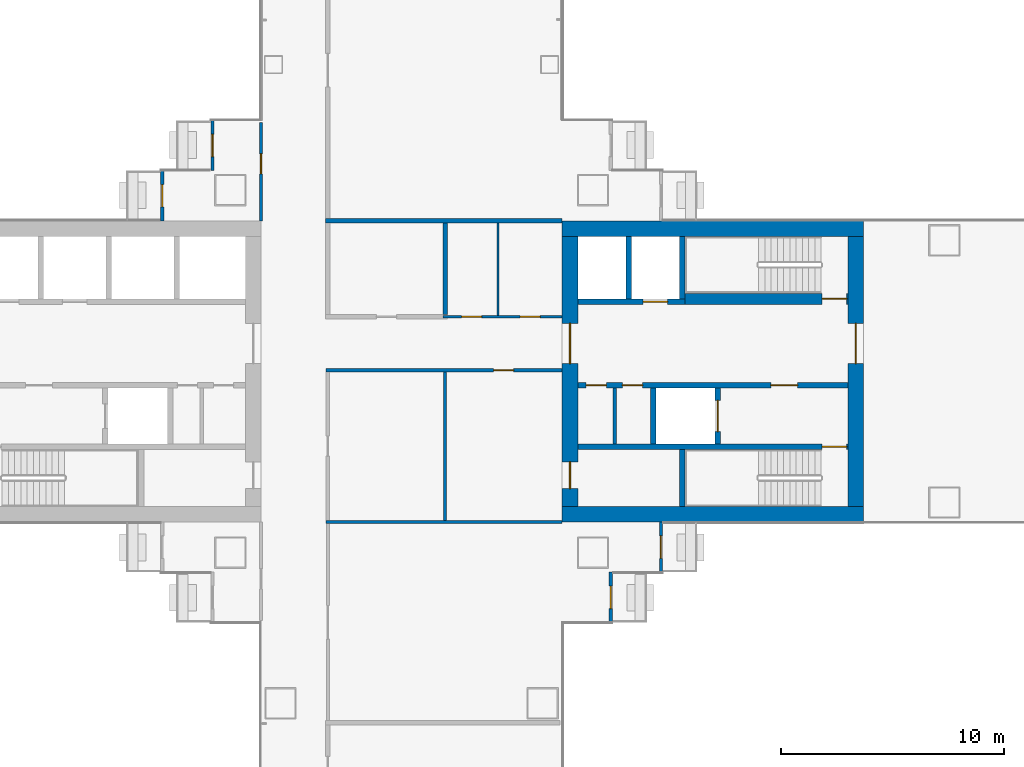
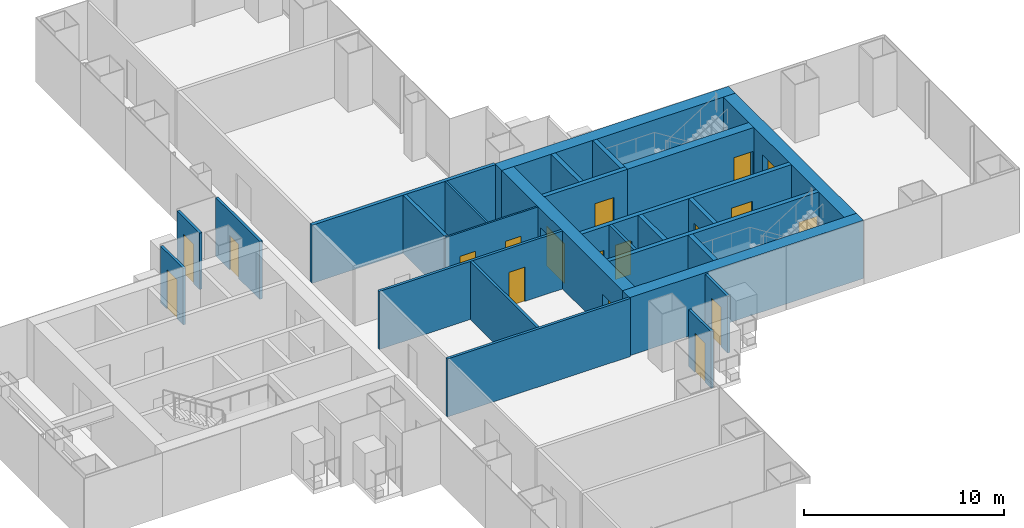
# One storey, part 17 of 22: 26 walls, 18 doors, 18 openings.
"""IFC4 building model written with IfcOpenShell, lengths in metres."""

from ifc_helpers import new_model, si_unit, direction, frame, frame_2d, origin, place, context, subcontext, project, spatial, rectangle, extrude, material, layer, layer_set, type_object, element, fill, save


model = new_model("IFC4")

# Units and contexts
model_context = context("Model", 3, precision=1e-05, world=origin(), true_north=direction((0.0, 1.0)))
body_context = subcontext(model_context, "Body", "Model", "MODEL_VIEW")
ifc_project = project(units=[si_unit("LENGTHUNIT", "METRE"), si_unit("AREAUNIT", "SQUARE_METRE"), si_unit("VOLUMEUNIT", "CUBIC_METRE"), si_unit("PLANEANGLEUNIT", "RADIAN"), si_unit("MASSUNIT", "GRAM", prefix="KILO")], contexts=[model_context])

# Site, building, storey
site_placement = place(None, origin())
site = spatial("IfcSite", under=ifc_project, at=site_placement, CompositionType="ELEMENT")
building_placement = place(site_placement, origin())
building = spatial("IfcBuilding", under=site, at=building_placement, Name="Shamsa Quay Exchange Towers", CompositionType="ELEMENT")
storey_placement = place(building_placement, frame((0.0, 0.0, 69.300048828125)))
storey = spatial("IfcBuildingStorey", under=building, at=storey_placement, Name="L15", CompositionType="ELEMENT", Elevation=69.300048828125)

# Wall, opening, door
ifc_material_1 = material(Name="Aluminium EN AW-6063 T6, black anodised, with black enamelled glass infill", Category="aluminium")
ifc_layer_1 = layer(ifc_material_1, 0.14990234375)
ifc_layer_set_1 = layer_set([ifc_layer_1], Name="BALCONY DOOR BAY WALL 150")
wall_type_1 = type_object("IfcWallType", Name="BALCONY DOOR BAY WALL 150", PredefinedType="SOLIDWALL", material=ifc_layer_set_1)
wall_1_placement = place(storey_placement, frame((24.824951171875, 9.0, 0.0), z_axis=(0.0, 0.0, 1.0), x_axis=(0.0, 1.0, 0.0)))
wall_1 = element("IfcWall", 1, at=wall_1_placement, inside=storey, type_object=wall_type_1, Name="Door bay T2-PKEN L15", PredefinedType="SOLIDWALL", context=body_context, shape_type="SweptSolid", body=[
    extrude(rectangle(XDim=2.25, YDim=0.14990234375, at=frame_2d((1.125, 0.0))), origin(), (0.0, 0.0, 1.0), 3.449951171875),
])
opening_1_placement = place(wall_1_placement, frame((0.625, 0.0, 0.0)))
opening_1 = element("IfcOpeningElement", 2, at=opening_1_placement, cuts=wall_1, Name="Opening XD089", PredefinedType="OPENING", context=body_context, shape_type="SweptSolid", body=[
    extrude(rectangle(XDim=1.0, YDim=2.39990234375, at=frame_2d((0.5, 1.199951171875))), frame((0.0, 0.0849609375, 0.0), z_axis=(0.0, -1.0, 0.0), x_axis=(1.0, 0.0, 0.0)), (0.0, 0.0, 1.0), 0.169921875),
])
ifc_material_2 = material(Name="Aluminium EN AW-6063 T6, black anodised, with laminated glass leaf", Category="aluminium")
door_type_1 = type_object("IfcDoorType", Name="BALCONY DOOR 1000x2400", OperationType="SINGLE_SWING_LEFT", PredefinedType="DOOR", material=ifc_material_2)
door_1_placement = place(opening_1_placement, origin())
door_1 = element("IfcDoor", 3, at=door_1_placement, inside=storey, type_object=door_type_1, Name="Balcony door T2-PKEN L15", OperationType="SINGLE_SWING_RIGHT", OverallHeight=2.39990234375, OverallWidth=1.0, PredefinedType="DOOR", context=body_context, shape_type="SweptSolid", body=[
    extrude(rectangle(XDim=1.0, YDim=2.39990234375, at=frame_2d((0.5, 1.199951171875))), frame((0.0, 0.02490234375, 0.0), z_axis=(0.0, -1.0, 0.0), x_axis=(1.0, 0.0, 0.0)), (0.0, 0.0, 1.0), 0.050048828125),
])
fill(opening_1, door_1)

wall_2_placement = place(storey_placement, frame((22.574951171875, 6.742919921875, 0.0), z_axis=(0.0, 0.0, 1.0), x_axis=(0.0, 1.0, 0.0)))
wall_2 = element("IfcWall", 4, at=wall_2_placement, inside=storey, type_object=wall_type_1, Name="Door bay T2-PKEN L15", PredefinedType="SOLIDWALL", context=body_context, shape_type="SweptSolid", body=[
    extrude(rectangle(XDim=2.257080078125, YDim=0.14990234375, at=frame_2d((1.12841796875, 0.0))), origin(), (0.0, 0.0, 1.0), 3.449951171875),
])
opening_2_placement = place(wall_2_placement, frame((0.632080078125, 0.0, 0.0)))
opening_2 = element("IfcOpeningElement", 5, at=opening_2_placement, cuts=wall_2, Name="Opening XD090", PredefinedType="OPENING", context=body_context, shape_type="SweptSolid", body=[
    extrude(rectangle(XDim=1.0, YDim=2.39990234375, at=frame_2d((0.5, 1.199951171875))), frame((0.0, 0.0849609375, 0.0), z_axis=(0.0, -1.0, 0.0), x_axis=(1.0, 0.0, 0.0)), (0.0, 0.0, 1.0), 0.169921875),
])
door_2_placement = place(opening_2_placement, origin())
door_2 = element("IfcDoor", 6, at=door_2_placement, inside=storey, type_object=door_type_1, Name="Balcony door T2-PKEN L15", OperationType="SINGLE_SWING_LEFT", OverallHeight=2.39990234375, OverallWidth=1.0, PredefinedType="DOOR", context=body_context, shape_type="SweptSolid", body=[
    extrude(rectangle(XDim=1.0, YDim=2.39990234375, at=frame_2d((0.5, 1.199951171875))), frame((0.0, 0.02490234375, 0.0), z_axis=(0.0, -1.0, 0.0), x_axis=(1.0, 0.0, 0.0)), (0.0, 0.0, 1.0), 0.050048828125),
])
fill(opening_2, door_2)

wall_3_placement = place(storey_placement, frame((42.675048828125, -9.0, 0.0), z_axis=(0.0, 0.0, 1.0), x_axis=(0.0, -1.0, 0.0)))
wall_3 = element("IfcWall", 7, at=wall_3_placement, inside=storey, type_object=wall_type_1, Name="Door bay T2-PKWS L15", PredefinedType="SOLIDWALL", context=body_context, shape_type="SweptSolid", body=[
    extrude(rectangle(XDim=2.25, YDim=0.14990234375, at=frame_2d((1.125, 0.0))), origin(), (0.0, 0.0, 1.0), 3.449951171875),
])
opening_3_placement = place(wall_3_placement, frame((0.625, 0.0, 0.0)))
opening_3 = element("IfcOpeningElement", 8, at=opening_3_placement, cuts=wall_3, Name="Opening XD095", PredefinedType="OPENING", context=body_context, shape_type="SweptSolid", body=[
    extrude(rectangle(XDim=1.0, YDim=2.39990234375, at=frame_2d((0.5, 1.199951171875))), frame((0.0, 0.0849609375, 0.0), z_axis=(0.0, -1.0, 0.0), x_axis=(1.0, 0.0, 0.0)), (0.0, 0.0, 1.0), 0.169921875),
])
door_3_placement = place(opening_3_placement, origin())
door_3 = element("IfcDoor", 9, at=door_3_placement, inside=storey, type_object=door_type_1, Name="Balcony door T2-PKWS L15", OperationType="SINGLE_SWING_LEFT", OverallHeight=2.39990234375, OverallWidth=1.0, PredefinedType="DOOR", context=body_context, shape_type="SweptSolid", body=[
    extrude(rectangle(XDim=1.0, YDim=2.39990234375, at=frame_2d((0.5, 1.199951171875))), frame((0.0, 0.02490234375, 0.0), z_axis=(0.0, -1.0, 0.0), x_axis=(1.0, 0.0, 0.0)), (0.0, 0.0, 1.0), 0.050048828125),
])
fill(opening_3, door_3)

wall_4_placement = place(storey_placement, frame((44.925048828125, -6.742919921875, 0.0), z_axis=(0.0, 0.0, 1.0), x_axis=(0.0, -1.0, 0.0)))
wall_4 = element("IfcWall", 10, at=wall_4_placement, inside=storey, type_object=wall_type_1, Name="Door bay T2-PKWS L15", PredefinedType="SOLIDWALL", context=body_context, shape_type="SweptSolid", body=[
    extrude(rectangle(XDim=2.257080078125, YDim=0.14990234375, at=frame_2d((1.12841796875, 0.0))), origin(), (0.0, 0.0, 1.0), 3.449951171875),
])
opening_4_placement = place(wall_4_placement, frame((0.632080078125, 0.0, 0.0)))
opening_4 = element("IfcOpeningElement", 11, at=opening_4_placement, cuts=wall_4, Name="Opening XD096", PredefinedType="OPENING", context=body_context, shape_type="SweptSolid", body=[
    extrude(rectangle(XDim=1.0, YDim=2.39990234375, at=frame_2d((0.5, 1.199951171875))), frame((0.0, 0.0849609375, 0.0), z_axis=(0.0, -1.0, 0.0), x_axis=(1.0, 0.0, 0.0)), (0.0, 0.0, 1.0), 0.169921875),
])
door_4_placement = place(opening_4_placement, origin())
door_4 = element("IfcDoor", 12, at=door_4_placement, inside=storey, type_object=door_type_1, Name="Balcony door T2-PKWS L15", OperationType="SINGLE_SWING_RIGHT", OverallHeight=2.39990234375, OverallWidth=1.0, PredefinedType="DOOR", context=body_context, shape_type="SweptSolid", body=[
    extrude(rectangle(XDim=1.0, YDim=2.39990234375, at=frame_2d((0.5, 1.199951171875))), frame((0.0, 0.02490234375, 0.0), z_axis=(0.0, -1.0, 0.0), x_axis=(1.0, 0.0, 0.0)), (0.0, 0.0, 1.0), 0.050048828125),
])
fill(opening_4, door_4)

# Walls
ifc_material_3 = material(Name="Concrete C80/95", Category="concrete")
ifc_layer_2 = layer(ifc_material_3, 0.699951171875)
ifc_layer_set_2 = layer_set([ifc_layer_2], Name="CORE WALL 700 C80/95")
wall_type_2 = type_object("IfcWallType", Name="CORE WALL 700 C80/95", PredefinedType="SHEAR", material=ifc_layer_set_2)
for number, where, z_axis, x_axis, name in (
    (13, (54.0, -6.39990234375, 0.0), (0.0, 0.0, 1.0), (-1.0, 0.0, 0.0), "Core wall T2B-R07-PS"),
    (14, (54.0, 6.39990234375, 0.0), (0.0, 0.0, 1.0), (-1.0, 0.0, 0.0), "Core wall T2B-R07-PN"),
):
    element("IfcWall", number, at=place(storey_placement, frame(where, z_axis=z_axis, x_axis=x_axis)), inside=storey, type_object=wall_type_2, Name=name, PredefinedType="SHEAR", context=body_context, shape_type="SweptSolid", body=[
        extrude(rectangle(XDim=13.5, YDim=0.699951171875, at=frame_2d((6.75, 0.0))), origin(), (0.0, 0.0, 1.0), 3.550048828125),
    ])

# Wall, opening, door
wall_5_placement = place(storey_placement, frame((53.64990234375, -6.050048828125, 0.0), z_axis=(0.0, 0.0, 1.0), x_axis=(0.0, 1.0, 0.0)))
wall_5 = element("IfcWall", 15, at=wall_5_placement, inside=storey, type_object=wall_type_2, Name="Core wall T2B-R07-PF", PredefinedType="SHEAR", context=body_context, shape_type="SweptSolid", body=[
    extrude(rectangle(XDim=12.10009765625, YDim=0.699951171875, at=frame_2d((6.050048828125, 0.0))), origin(), (0.0, 0.0, 1.0), 3.550048828125),
])
opening_5_placement = place(wall_5_placement, frame((6.39990234375, 0.0, 0.0)))
opening_5 = element("IfcOpeningElement", 16, at=opening_5_placement, cuts=wall_5, Name="Opening T2B-R07-LBD01", PredefinedType="OPENING", context=body_context, shape_type="SweptSolid", body=[
    extrude(rectangle(XDim=1.800048828125, YDim=2.39990234375, at=frame_2d((0.89990234375, 1.199951171875))), frame((0.0, 0.35986328125, 0.0), z_axis=(0.0, -1.0, 0.0), x_axis=(1.0, 0.0, 0.0)), (0.0, 0.0, 1.0), 0.719970703125),
])
ifc_material_4 = material(Name="Steel, fire rated", Category="steel")
door_type_2 = type_object("IfcDoorType", Name="LIFT LOBBY DOOR PAIR 1800", OperationType="DOUBLE_DOOR_SINGLE_SWING", PredefinedType="DOOR", material=ifc_material_4)
door_5_placement = place(opening_5_placement, origin())
door_5 = element("IfcDoor", 17, at=door_5_placement, inside=storey, type_object=door_type_2, Name="T2B-R07-LBD01", OperationType="DOUBLE_DOOR_SINGLE_SWING", OverallHeight=2.39990234375, OverallWidth=1.800048828125, PredefinedType="DOOR", context=body_context, shape_type="SweptSolid", body=[
    extrude(rectangle(XDim=1.800048828125, YDim=2.39990234375, at=frame_2d((0.89990234375, 1.199951171875))), frame((0.0, 0.02490234375, 0.0), z_axis=(0.0, -1.0, 0.0), x_axis=(1.0, 0.0, 0.0)), (0.0, 0.0, 1.0), 0.050048828125),
])
fill(opening_5, door_5)

# Wall, openings, doors
wall_6_placement = place(storey_placement, frame((40.85009765625, -6.050048828125, 0.0), z_axis=(0.0, 0.0, 1.0), x_axis=(0.0, 1.0, 0.0)))
wall_6 = element("IfcWall", 18, at=wall_6_placement, inside=storey, type_object=wall_type_2, Name="Core wall T2B-R07-PB", PredefinedType="SHEAR", context=body_context, shape_type="SweptSolid", body=[
    extrude(rectangle(XDim=12.10009765625, YDim=0.699951171875, at=frame_2d((6.050048828125, 0.0))), origin(), (0.0, 0.0, 1.0), 3.550048828125),
])
opening_6_placement = place(wall_6_placement, frame((0.800048828125, 0.0, 0.0)))
opening_6 = element("IfcOpeningElement", 19, at=opening_6_placement, cuts=wall_6, Name="Opening T2B-R07-RD02", PredefinedType="OPENING", context=body_context, shape_type="SweptSolid", body=[
    extrude(rectangle(XDim=1.199951171875, YDim=2.10009765625, at=frame_2d((0.60009765625, 1.050048828125))), frame((0.0, 0.35986328125, 0.0), z_axis=(0.0, -1.0, 0.0), x_axis=(1.0, 0.0, 0.0)), (0.0, 0.0, 1.0), 0.719970703125),
])
opening_7_placement = place(wall_6_placement, frame((6.39990234375, 0.0, 0.0)))
opening_7 = element("IfcOpeningElement", 20, at=opening_7_placement, cuts=wall_6, Name="Opening T2B-R07-LBD03", PredefinedType="OPENING", context=body_context, shape_type="SweptSolid", body=[
    extrude(rectangle(XDim=1.800048828125, YDim=2.39990234375, at=frame_2d((0.89990234375, 1.199951171875))), frame((0.0, 0.35986328125, 0.0), z_axis=(0.0, -1.0, 0.0), x_axis=(1.0, 0.0, 0.0)), (0.0, 0.0, 1.0), 0.719970703125),
])
door_6_placement = place(opening_7_placement, origin())
door_6 = element("IfcDoor", 21, at=door_6_placement, inside=storey, type_object=door_type_2, Name="T2B-R07-LBD03", OperationType="DOUBLE_DOOR_SINGLE_SWING", OverallHeight=2.39990234375, OverallWidth=1.800048828125, PredefinedType="DOOR", context=body_context, shape_type="SweptSolid", body=[
    extrude(rectangle(XDim=1.800048828125, YDim=2.39990234375, at=frame_2d((0.89990234375, 1.199951171875))), frame((0.0, 0.02490234375, 0.0), z_axis=(0.0, -1.0, 0.0), x_axis=(1.0, 0.0, 0.0)), (0.0, 0.0, 1.0), 0.050048828125),
])
fill(opening_7, door_6)
door_type_3 = type_object("IfcDoorType", Name="RISER ACCESS DOOR 1200", OperationType="SINGLE_SWING_LEFT", PredefinedType="DOOR", material=ifc_material_4)
door_7_placement = place(opening_6_placement, origin())
door_7 = element("IfcDoor", 22, at=door_7_placement, inside=storey, type_object=door_type_3, Name="T2B-R07-RD02", OperationType="SINGLE_SWING_LEFT", OverallHeight=2.10009765625, OverallWidth=1.199951171875, PredefinedType="DOOR", context=body_context, shape_type="SweptSolid", body=[
    extrude(rectangle(XDim=1.199951171875, YDim=2.10009765625, at=frame_2d((0.60009765625, 1.050048828125))), frame((0.0, 0.02490234375, 0.0), z_axis=(0.0, -1.0, 0.0), x_axis=(1.0, 0.0, 0.0)), (0.0, 0.0, 1.0), 0.050048828125),
])
fill(opening_6, door_7)

# Wall
ifc_material_5 = material(Name="Gypsum board on steel studs, EI 60", Category="steel")
ifc_layer_3 = layer(ifc_material_5, 0.14990234375)
ifc_layer_set_3 = layer_set([ifc_layer_3], Name="FIRE PARTITION 150")
wall_type_3 = type_object("IfcWallType", Name="FIRE PARTITION 150", PredefinedType="PARTITIONING", material=ifc_layer_set_3)
wall_7_placement = place(storey_placement, frame((42.85009765625, -3.25, 0.0), z_axis=(0.0, 0.0, 1.0), x_axis=(0.0, 1.0, 0.0)))
element("IfcWall", 23, at=wall_7_placement, inside=storey, type_object=wall_type_3, Name="Partition T2B-R07-EC0", PredefinedType="PARTITIONING", context=body_context, shape_type="SweptSolid", body=[
    extrude(rectangle(XDim=2.5, YDim=0.14990234375, at=frame_2d((1.25, 0.0))), origin(), (0.0, 0.0, 1.0), 3.550048828125),
])

# Wall, openings, doors
ifc_material_6 = material(Name="Gypsum board partition on metal studs")
ifc_layer_4 = layer(ifc_material_6, 0.10009765625)
ifc_layer_set_4 = layer_set([ifc_layer_4], Name="Partition 100 mm NOT RATED")
wall_type_4 = type_object("IfcWallType", Name="Partition 100 mm NOT RATED", PredefinedType="PARTITIONING", material=ifc_layer_set_4)
wall_8_placement = place(storey_placement, frame((35.14990234375, 2.4501953125, 0.0)))
wall_8 = element("IfcWall", 24, at=wall_8_placement, inside=storey, type_object=wall_type_4, Name="Partition T2-R07-W06", PredefinedType="PARTITIONING", context=body_context, shape_type="SweptSolid", body=[
    extrude(rectangle(XDim=5.35009765625, YDim=0.10009765625, at=frame_2d((2.675048828125, 0.0))), origin(), (0.0, 0.0, 1.0), 3.550048828125),
])
opening_8_placement = place(wall_8_placement, frame((3.46240234375, 0.0, 0.0)))
opening_8 = element("IfcOpeningElement", 25, at=opening_8_placement, cuts=wall_8, Name="Opening T2-R07-D01", PredefinedType="OPENING", context=body_context, shape_type="SweptSolid", body=[
    extrude(rectangle(XDim=0.89990234375, YDim=2.10009765625, at=frame_2d((0.449951171875, 1.050048828125))), frame((0.0, 0.06005859375, 0.0), z_axis=(0.0, -1.0, 0.0), x_axis=(1.0, 0.0, 0.0)), (0.0, 0.0, 1.0), 0.1201171875),
])
opening_9_placement = place(wall_8_placement, frame((0.83740234375, 0.0, 0.0)))
opening_9 = element("IfcOpeningElement", 26, at=opening_9_placement, cuts=wall_8, Name="Opening T2-R07-D02", PredefinedType="OPENING", context=body_context, shape_type="SweptSolid", body=[
    extrude(rectangle(XDim=0.89990234375, YDim=2.10009765625, at=frame_2d((0.449951171875, 1.050048828125))), frame((0.0, 0.06005859375, 0.0), z_axis=(0.0, -1.0, 0.0), x_axis=(1.0, 0.0, 0.0)), (0.0, 0.0, 1.0), 0.1201171875),
])
ifc_material_7 = material(Name="Timber door leaf in a metal frame", Category="wood")
door_type_4 = type_object("IfcDoorType", Name="Door 900x2100 NOT RATED", OperationType="NOTDEFINED", PredefinedType="DOOR", material=ifc_material_7)
door_8_placement = place(opening_8_placement, origin())
door_8 = element("IfcDoor", 27, at=door_8_placement, inside=storey, type_object=door_type_4, Name="Door T2-R07-D01", OperationType="SINGLE_SWING_RIGHT", OverallHeight=2.10009765625, OverallWidth=0.89990234375, PredefinedType="DOOR", context=body_context, shape_type="SweptSolid", body=[
    extrude(rectangle(XDim=0.89990234375, YDim=2.10009765625, at=frame_2d((0.449951171875, 1.050048828125))), frame((0.0, 0.02490234375, 0.0), z_axis=(0.0, -1.0, 0.0), x_axis=(1.0, 0.0, 0.0)), (0.0, 0.0, 1.0), 0.050048828125),
])
fill(opening_8, door_8)
door_9_placement = place(opening_9_placement, origin())
door_9 = element("IfcDoor", 28, at=door_9_placement, inside=storey, type_object=door_type_4, Name="Door T2-R07-D02", OperationType="SINGLE_SWING_LEFT", OverallHeight=2.10009765625, OverallWidth=0.89990234375, PredefinedType="DOOR", context=body_context, shape_type="SweptSolid", body=[
    extrude(rectangle(XDim=0.89990234375, YDim=2.10009765625, at=frame_2d((0.449951171875, 1.050048828125))), frame((0.0, 0.02490234375, 0.0), z_axis=(0.0, -1.0, 0.0), x_axis=(1.0, 0.0, 0.0)), (0.0, 0.0, 1.0), 0.050048828125),
])
fill(opening_9, door_9)

# Wall
wall_9_placement = place(storey_placement, frame((37.625, 6.64990234375, 0.0), z_axis=(0.0, 0.0, 1.0), x_axis=(0.0, -1.0, 0.0)))
element("IfcWall", 29, at=wall_9_placement, inside=storey, type_object=wall_type_4, Name="Partition T2-R07-W15", PredefinedType="PARTITIONING", context=body_context, shape_type="SweptSolid", body=[
    extrude(rectangle(XDim=4.149658203125, YDim=0.10009765625, at=frame_2d((2.07470703125, 0.0))), origin(), (0.0, 0.0, 1.0), 3.550048828125),
])

# Wall, opening, door
ifc_layer_5 = layer(ifc_material_6, 0.14990234375)
ifc_layer_set_5 = layer_set([ifc_layer_5], Name="Partition 150 mm EI 60")
wall_type_5 = type_object("IfcWallType", Name="Partition 150 mm EI 60", PredefinedType="PARTITIONING", material=ifc_layer_set_5)
wall_10_placement = place(storey_placement, frame((40.5, 0.0498046875, 0.0), z_axis=(0.0, 0.0, 1.0), x_axis=(-1.0, 0.0, 0.0)))
wall_10 = element("IfcWall", 30, at=wall_10_placement, inside=storey, type_object=wall_type_5, Name="Partition T2-R07-W10", PredefinedType="PARTITIONING", context=body_context, shape_type="SweptSolid", body=[
    extrude(rectangle(XDim=10.574951171875, YDim=0.14990234375, at=frame_2d((5.28759765625, 0.0))), origin(), (0.0, 0.0, 1.0), 3.550048828125),
])
opening_10_placement = place(wall_10_placement, frame((2.175048828125, 0.0, 0.0)))
opening_10 = element("IfcOpeningElement", 31, at=opening_10_placement, cuts=wall_10, Name="Opening T2-R07-D08", PredefinedType="OPENING", context=body_context, shape_type="SweptSolid", body=[
    extrude(rectangle(XDim=0.89990234375, YDim=2.10009765625, at=frame_2d((0.449951171875, 1.050048828125))), frame((0.0, 0.0849609375, 0.0), z_axis=(0.0, -1.0, 0.0), x_axis=(1.0, 0.0, 0.0)), (0.0, 0.0, 1.0), 0.169921875),
])
door_type_5 = type_object("IfcDoorType", Name="Door 900x2100 FD30S", OperationType="NOTDEFINED", PredefinedType="DOOR", material=ifc_material_7)
door_10_placement = place(opening_10_placement, origin())
door_10 = element("IfcDoor", 32, at=door_10_placement, inside=storey, type_object=door_type_5, Name="Door T2-R07-D08", OperationType="SINGLE_SWING_RIGHT", OverallHeight=2.10009765625, OverallWidth=0.89990234375, PredefinedType="DOOR", context=body_context, shape_type="SweptSolid", body=[
    extrude(rectangle(XDim=0.89990234375, YDim=2.10009765625, at=frame_2d((0.449951171875, 1.050048828125))), frame((0.0, 0.02490234375, 0.0), z_axis=(0.0, -1.0, 0.0), x_axis=(1.0, 0.0, 0.0)), (0.0, 0.0, 1.0), 0.050048828125),
])
fill(opening_10, door_10)

wall_11_placement = place(storey_placement, frame((27.0, 6.75, 0.0), z_axis=(0.0, 0.0, 1.0), x_axis=(0.0, 1.0, 0.0)))
wall_11 = element("IfcWall", 33, at=wall_11_placement, inside=storey, type_object=wall_type_5, Name="Partition T2-R07-W11", PredefinedType="PARTITIONING", context=body_context, shape_type="SweptSolid", body=[
    extrude(rectangle(XDim=4.405029296875, YDim=0.14990234375, at=frame_2d((2.20263671875, 0.0))), origin(), (0.0, 0.0, 1.0), 3.550048828125),
])
opening_11_placement = place(wall_11_placement, frame((2.10009765625, 0.0, 0.0)))
opening_11 = element("IfcOpeningElement", 34, at=opening_11_placement, cuts=wall_11, Name="Opening T2-R07-D12", PredefinedType="OPENING", context=body_context, shape_type="SweptSolid", body=[
    extrude(rectangle(XDim=0.89990234375, YDim=2.10009765625, at=frame_2d((0.449951171875, 1.050048828125))), frame((0.0, 0.0849609375, 0.0), z_axis=(0.0, -1.0, 0.0), x_axis=(1.0, 0.0, 0.0)), (0.0, 0.0, 1.0), 0.169921875),
])
door_11_placement = place(opening_11_placement, origin())
door_11 = element("IfcDoor", 35, at=door_11_placement, inside=storey, type_object=door_type_5, Name="Door T2-R07-D12", OperationType="SINGLE_SWING_RIGHT", OverallHeight=2.10009765625, OverallWidth=0.89990234375, PredefinedType="DOOR", context=body_context, shape_type="SweptSolid", body=[
    extrude(rectangle(XDim=0.89990234375, YDim=2.10009765625, at=frame_2d((0.449951171875, 1.050048828125))), frame((0.0, 0.02490234375, 0.0), z_axis=(0.0, -1.0, 0.0), x_axis=(1.0, 0.0, 0.0)), (0.0, 0.0, 1.0), 0.050048828125),
])
fill(opening_11, door_11)

# Walls
wall_12_placement = place(storey_placement, frame((40.5, -6.75, 0.0), z_axis=(0.0, 0.0, 1.0), x_axis=(-1.0, 0.0, 0.0)))
element("IfcWall", 36, at=wall_12_placement, inside=storey, type_object=wall_type_5, Name="Partition T2-R07-W18", PredefinedType="PARTITIONING", context=body_context, shape_type="SweptSolid", body=[
    extrude(rectangle(XDim=10.574951171875, YDim=0.14990234375, at=frame_2d((5.28759765625, 0.0))), origin(), (0.0, 0.0, 1.0), 3.550048828125),
])
wall_13_placement = place(storey_placement, frame((35.25, -0.025146484375, 0.0), z_axis=(0.0, 0.0, 1.0), x_axis=(0.0, -1.0, 0.0)))
element("IfcWall", 37, at=wall_13_placement, inside=storey, type_object=wall_type_5, Name="Partition T2-R07-W20", PredefinedType="PARTITIONING", context=body_context, shape_type="SweptSolid", body=[
    extrude(rectangle(XDim=6.64990234375, YDim=0.14990234375, at=frame_2d((3.324951171875, 0.0))), origin(), (0.0, 0.0, 1.0), 3.550048828125),
])
ifc_layer_6 = layer(ifc_material_6, 0.199951171875)
ifc_layer_set_6 = layer_set([ifc_layer_6], Name="Partition 200 mm EI 120")
wall_type_6 = type_object("IfcWallType", Name="Partition 200 mm EI 120", PredefinedType="PARTITIONING", material=ifc_layer_set_6)
wall_14_placement = place(storey_placement, frame((35.25, 6.64990234375, 0.0), z_axis=(0.0, 0.0, 1.0), x_axis=(0.0, -1.0, 0.0)))
element("IfcWall", 38, at=wall_14_placement, inside=storey, type_object=wall_type_6, Name="Partition T2-R07-W16", PredefinedType="PARTITIONING", context=body_context, shape_type="SweptSolid", body=[
    extrude(rectangle(XDim=4.099609375, YDim=0.199951171875, at=frame_2d((2.0498046875, 0.0))), origin(), (0.0, 0.0, 1.0), 3.550048828125),
])
ifc_layer_7 = layer(ifc_material_6, 0.199951171875)
ifc_layer_set_7 = layer_set([ifc_layer_7], Name="Partition 200 mm EI 90")
wall_type_7 = type_object("IfcWallType", Name="Partition 200 mm EI 90", PredefinedType="PARTITIONING", material=ifc_layer_set_7)
wall_15_placement = place(storey_placement, frame((29.89990234375, 6.75, 0.0)))
element("IfcWall", 39, at=wall_15_placement, inside=storey, type_object=wall_type_7, Name="Partition T2-R07-W14", PredefinedType="PARTITIONING", context=body_context, shape_type="SweptSolid", body=[
    extrude(rectangle(XDim=10.60009765625, YDim=0.199951171875, at=frame_2d((5.300048828125, 0.0))), origin(), (0.0, 0.0, 1.0), 3.550048828125),
])

# Wall, opening, door
ifc_material_8 = material(Name="Concrete C50/60", Category="concrete")
ifc_layer_8 = layer(ifc_material_8, 0.25)
ifc_layer_set_8 = layer_set([ifc_layer_8], Name="SHAFT WALL 250 C50/60")
wall_type_8 = type_object("IfcWallType", Name="SHAFT WALL 250 C50/60", PredefinedType="SHEAR", material=ifc_layer_set_8)
wall_16_placement = place(storey_placement, frame((53.300048828125, -3.375, 0.0), z_axis=(0.0, 0.0, 1.0), x_axis=(-1.0, 0.0, 0.0)))
wall_16 = element("IfcWall", 40, at=wall_16_placement, inside=storey, type_object=wall_type_8, Name="Shaft wall T2B-R07-STL", PredefinedType="SHEAR", context=body_context, shape_type="SweptSolid", body=[
    extrude(rectangle(XDim=12.10009765625, YDim=0.25, at=frame_2d((6.050048828125, 0.0))), origin(), (0.0, 0.0, 1.0), 3.550048828125),
])
opening_12_placement = place(wall_16_placement, frame((0.050048828125, 0.0, 0.0)))
opening_12 = element("IfcOpeningElement", 41, at=opening_12_placement, cuts=wall_16, Name="Opening T2B-R07-SD04", PredefinedType="OPENING", context=body_context, shape_type="SweptSolid", body=[
    extrude(rectangle(XDim=1.10009765625, YDim=2.10009765625, at=frame_2d((0.550048828125, 1.050048828125))), frame((0.0, 0.135009765625, 0.0), z_axis=(0.0, -1.0, 0.0), x_axis=(1.0, 0.0, 0.0)), (0.0, 0.0, 1.0), 0.27001953125),
])
door_type_6 = type_object("IfcDoorType", Name="STAIR DOOR 1100", OperationType="SINGLE_SWING_LEFT", PredefinedType="DOOR", material=ifc_material_4)
door_12_placement = place(opening_12_placement, origin())
door_12 = element("IfcDoor", 42, at=door_12_placement, inside=storey, type_object=door_type_6, Name="T2B-R07-SD04", OperationType="SINGLE_SWING_LEFT", OverallHeight=2.10009765625, OverallWidth=1.10009765625, PredefinedType="DOOR", context=body_context, shape_type="SweptSolid", body=[
    extrude(rectangle(XDim=1.10009765625, YDim=2.10009765625, at=frame_2d((0.550048828125, 1.050048828125))), frame((0.0, 0.02490234375, 0.0), z_axis=(0.0, -1.0, 0.0), x_axis=(1.0, 0.0, 0.0)), (0.0, 0.0, 1.0), 0.050048828125),
])
fill(opening_12, door_12)

# Wall
wall_17_placement = place(storey_placement, frame((45.875, -6.050048828125, 0.0), z_axis=(0.0, 0.0, 1.0), x_axis=(0.0, 1.0, 0.0)))
element("IfcWall", 43, at=wall_17_placement, inside=storey, type_object=wall_type_8, Name="Shaft wall T2B-R07-STF", PredefinedType="SHEAR", context=body_context, shape_type="SweptSolid", body=[
    extrude(rectangle(XDim=2.550048828125, YDim=0.25, at=frame_2d((1.27490234375, 0.0))), origin(), (0.0, 0.0, 1.0), 3.550048828125),
])

# Wall, openings, doors
wall_18_placement = place(storey_placement, frame((53.300048828125, -0.625, 0.0), z_axis=(0.0, 0.0, 1.0), x_axis=(-1.0, 0.0, 0.0)))
wall_18 = element("IfcWall", 44, at=wall_18_placement, inside=storey, type_object=wall_type_8, Name="Shaft wall T2B-R07-B", PredefinedType="SHEAR", context=body_context, shape_type="SweptSolid", body=[
    extrude(rectangle(XDim=12.10009765625, YDim=0.25, at=frame_2d((6.050048828125, 0.0))), origin(), (0.0, 0.0, 1.0), 3.550048828125),
])
opening_13_placement = place(wall_18_placement, frame((2.25, 0.0, 0.0)))
opening_13 = element("IfcOpeningElement", 45, at=opening_13_placement, cuts=wall_18, Name="Opening T2B-R07-FD05", PredefinedType="OPENING", context=body_context, shape_type="SweptSolid", body=[
    extrude(rectangle(XDim=1.199951171875, YDim=2.10009765625, at=frame_2d((0.60009765625, 1.050048828125))), frame((0.0, 0.135009765625, 0.0), z_axis=(0.0, -1.0, 0.0), x_axis=(1.0, 0.0, 0.0)), (0.0, 0.0, 1.0), 0.27001953125),
])
opening_14_placement = place(wall_18_placement, frame((9.199951171875, 0.0, 0.0)))
opening_14 = element("IfcOpeningElement", 46, at=opening_14_placement, cuts=wall_18, Name="Opening T2B-R07-SV06", PredefinedType="OPENING", context=body_context, shape_type="SweptSolid", body=[
    extrude(rectangle(XDim=0.89990234375, YDim=2.10009765625, at=frame_2d((0.449951171875, 1.050048828125))), frame((0.0, 0.135009765625, 0.0), z_axis=(0.0, -1.0, 0.0), x_axis=(1.0, 0.0, 0.0)), (0.0, 0.0, 1.0), 0.27001953125),
])
opening_15_placement = place(wall_18_placement, frame((10.824951171875, 0.0, 0.0)))
opening_15 = element("IfcOpeningElement", 47, at=opening_15_placement, cuts=wall_18, Name="Opening T2B-R07-SV07", PredefinedType="OPENING", context=body_context, shape_type="SweptSolid", body=[
    extrude(rectangle(XDim=0.89990234375, YDim=2.10009765625, at=frame_2d((0.449951171875, 1.050048828125))), frame((0.0, 0.135009765625, 0.0), z_axis=(0.0, -1.0, 0.0), x_axis=(1.0, 0.0, 0.0)), (0.0, 0.0, 1.0), 0.27001953125),
])
door_type_7 = type_object("IfcDoorType", Name="FIRE SERVICE LOBBY DOOR 1200", OperationType="SINGLE_SWING_LEFT", PredefinedType="DOOR", material=ifc_material_4)
door_13_placement = place(opening_13_placement, origin())
door_13 = element("IfcDoor", 48, at=door_13_placement, inside=storey, type_object=door_type_7, Name="T2B-R07-FD05", OperationType="SINGLE_SWING_LEFT", OverallHeight=2.10009765625, OverallWidth=1.199951171875, PredefinedType="DOOR", context=body_context, shape_type="SweptSolid", body=[
    extrude(rectangle(XDim=1.199951171875, YDim=2.10009765625, at=frame_2d((0.60009765625, 1.050048828125))), frame((0.0, 0.02490234375, 0.0), z_axis=(0.0, -1.0, 0.0), x_axis=(1.0, 0.0, 0.0)), (0.0, 0.0, 1.0), 0.050048828125),
])
fill(opening_13, door_13)
door_type_8 = type_object("IfcDoorType", Name="SERVICE ROOM DOOR 900", OperationType="SINGLE_SWING_LEFT", PredefinedType="DOOR", material=ifc_material_4)
door_14_placement = place(opening_14_placement, origin())
door_14 = element("IfcDoor", 49, at=door_14_placement, inside=storey, type_object=door_type_8, Name="T2B-R07-SV06", OperationType="SINGLE_SWING_RIGHT", OverallHeight=2.10009765625, OverallWidth=0.89990234375, PredefinedType="DOOR", context=body_context, shape_type="SweptSolid", body=[
    extrude(rectangle(XDim=0.89990234375, YDim=2.10009765625, at=frame_2d((0.449951171875, 1.050048828125))), frame((0.0, 0.02490234375, 0.0), z_axis=(0.0, -1.0, 0.0), x_axis=(1.0, 0.0, 0.0)), (0.0, 0.0, 1.0), 0.050048828125),
])
fill(opening_14, door_14)
door_15_placement = place(opening_15_placement, origin())
door_15 = element("IfcDoor", 50, at=door_15_placement, inside=storey, type_object=door_type_8, Name="T2B-R07-SV07", OperationType="SINGLE_SWING_RIGHT", OverallHeight=2.10009765625, OverallWidth=0.89990234375, PredefinedType="DOOR", context=body_context, shape_type="SweptSolid", body=[
    extrude(rectangle(XDim=0.89990234375, YDim=2.10009765625, at=frame_2d((0.449951171875, 1.050048828125))), frame((0.0, 0.02490234375, 0.0), z_axis=(0.0, -1.0, 0.0), x_axis=(1.0, 0.0, 0.0)), (0.0, 0.0, 1.0), 0.050048828125),
])
fill(opening_15, door_15)

# Wall, opening, door
wall_19_placement = place(storey_placement, frame((47.47509765625, -3.25, 0.0), z_axis=(0.0, 0.0, 1.0), x_axis=(0.0, 1.0, 0.0)))
wall_19 = element("IfcWall", 51, at=wall_19_placement, inside=storey, type_object=wall_type_8, Name="Shaft wall T2B-R07-FFF", PredefinedType="SHEAR", context=body_context, shape_type="SweptSolid", body=[
    extrude(rectangle(XDim=2.5, YDim=0.25, at=frame_2d((1.25, 0.0))), origin(), (0.0, 0.0, 1.0), 3.550048828125),
])
opening_16_placement = place(wall_19_placement, frame((0.550048828125, 0.0, 0.0)))
opening_16 = element("IfcOpeningElement", 52, at=opening_16_placement, cuts=wall_19, Name="Opening T2B-R07-LDG08", PredefinedType="OPENING", context=body_context, shape_type="SweptSolid", body=[
    extrude(rectangle(XDim=1.39990234375, YDim=2.39990234375, at=frame_2d((0.699951171875, 1.199951171875))), frame((0.0, 0.135009765625, 0.0), z_axis=(0.0, -1.0, 0.0), x_axis=(1.0, 0.0, 0.0)), (0.0, 0.0, 1.0), 0.27001953125),
])
door_type_9 = type_object("IfcDoorType", Name="GOODS LIFT LANDING DOOR 1400", OperationType="SLIDING_TO_LEFT", PredefinedType="DOOR", material=ifc_material_4)
door_16_placement = place(opening_16_placement, origin())
door_16 = element("IfcDoor", 53, at=door_16_placement, inside=storey, type_object=door_type_9, Name="T2B-R07-LDG08", OperationType="SLIDING_TO_LEFT", OverallHeight=2.39990234375, OverallWidth=1.39990234375, PredefinedType="DOOR", context=body_context, shape_type="SweptSolid", body=[
    extrude(rectangle(XDim=1.39990234375, YDim=2.39990234375, at=frame_2d((0.699951171875, 1.199951171875))), frame((0.0, 0.02490234375, 0.0), z_axis=(0.0, -1.0, 0.0), x_axis=(1.0, 0.0, 0.0)), (0.0, 0.0, 1.0), 0.050048828125),
])
fill(opening_16, door_16)

# Wall
wall_20_placement = place(storey_placement, frame((44.574951171875, -3.25, 0.0), z_axis=(0.0, 0.0, 1.0), x_axis=(0.0, 1.0, 0.0)))
element("IfcWall", 54, at=wall_20_placement, inside=storey, type_object=wall_type_8, Name="Shaft wall T2B-R07-FFB", PredefinedType="SHEAR", context=body_context, shape_type="SweptSolid", body=[
    extrude(rectangle(XDim=2.5, YDim=0.25, at=frame_2d((1.25, 0.0))), origin(), (0.0, 0.0, 1.0), 3.550048828125),
])

# Wall, opening, door
wall_21_placement = place(storey_placement, frame((46.0, 3.125, 0.0), z_axis=(0.0, 0.0, 1.0), x_axis=(-1.0, 0.0, 0.0)))
wall_21 = element("IfcWall", 55, at=wall_21_placement, inside=storey, type_object=wall_type_8, Name="Shaft wall T2B-R07-N2", PredefinedType="SHEAR", context=body_context, shape_type="SweptSolid", body=[
    extrude(rectangle(XDim=4.800048828125, YDim=0.25, at=frame_2d((2.39990234375, 0.0))), origin(), (0.0, 0.0, 1.0), 3.550048828125),
])
opening_17_placement = place(wall_21_placement, frame((0.77490234375, 0.0, 0.0)))
opening_17 = element("IfcOpeningElement", 56, at=opening_17_placement, cuts=wall_21, Name="Opening T2B-R07-LD10", PredefinedType="OPENING", context=body_context, shape_type="SweptSolid", body=[
    extrude(rectangle(XDim=1.10009765625, YDim=2.10009765625, at=frame_2d((0.550048828125, 1.050048828125))), frame((0.0, 0.135009765625, 0.0), z_axis=(0.0, -1.0, 0.0), x_axis=(1.0, 0.0, 0.0)), (0.0, 0.0, 1.0), 0.27001953125),
])
door_type_10 = type_object("IfcDoorType", Name="LANDING DOOR 1100", OperationType="SLIDING_TO_LEFT", PredefinedType="DOOR", material=ifc_material_4)
door_17_placement = place(opening_17_placement, origin())
door_17 = element("IfcDoor", 57, at=door_17_placement, inside=storey, type_object=door_type_10, Name="T2B-R07-LD10", OperationType="SLIDING_TO_LEFT", OverallHeight=2.10009765625, OverallWidth=1.10009765625, PredefinedType="DOOR", context=body_context, shape_type="SweptSolid", body=[
    extrude(rectangle(XDim=1.10009765625, YDim=2.10009765625, at=frame_2d((0.550048828125, 1.050048828125))), frame((0.0, 0.02490234375, 0.0), z_axis=(0.0, -1.0, 0.0), x_axis=(1.0, 0.0, 0.0)), (0.0, 0.0, 1.0), 0.050048828125),
])
fill(opening_17, door_17)

# Walls
for number, where, z_axis, x_axis, name in (
    (58, (45.875, 3.25, 0.0), (0.0, 0.0, 1.0), (0.0, 1.0, 0.0), "Shaft wall T2B-R07-STF2"),
    (59, (43.47509765625, 3.25, 0.0), (0.0, 0.0, 1.0), (0.0, 1.0, 0.0), "Shaft wall T2B-R07-D0"),
):
    element("IfcWall", number, at=place(storey_placement, frame(where, z_axis=z_axis, x_axis=x_axis)), inside=storey, type_object=wall_type_8, Name=name, PredefinedType="SHEAR", context=body_context, shape_type="SweptSolid", body=[
        extrude(rectangle(XDim=2.800048828125, YDim=0.25, at=frame_2d((1.39990234375, 0.0))), origin(), (0.0, 0.0, 1.0), 3.550048828125),
    ])

# Wall, opening, door
ifc_layer_9 = layer(ifc_material_8, 0.5)
ifc_layer_set_9 = layer_set([ifc_layer_9], Name="SHAFT WALL 500 C50/60")
wall_type_9 = type_object("IfcWallType", Name="SHAFT WALL 500 C50/60", PredefinedType="SHEAR", material=ifc_layer_set_9)
wall_22_placement = place(storey_placement, frame((46.0, 3.25, 0.0)))
wall_22 = element("IfcWall", 60, at=wall_22_placement, inside=storey, type_object=wall_type_9, Name="Shaft wall T2B-R07-N", PredefinedType="SHEAR", context=body_context, shape_type="SweptSolid", body=[
    extrude(rectangle(XDim=7.300048828125, YDim=0.5, at=frame_2d((3.64990234375, 0.0))), origin(), (0.0, 0.0, 1.0), 3.550048828125),
])
opening_18_placement = place(wall_22_placement, frame((6.14990234375, 0.0, 0.0)))
opening_18 = element("IfcOpeningElement", 61, at=opening_18_placement, cuts=wall_22, Name="Opening T2B-R07-SD09", PredefinedType="OPENING", context=body_context, shape_type="SweptSolid", body=[
    extrude(rectangle(XDim=1.10009765625, YDim=2.10009765625, at=frame_2d((0.550048828125, 1.050048828125))), frame((0.0, 0.260009765625, 0.0), z_axis=(0.0, -1.0, 0.0), x_axis=(1.0, 0.0, 0.0)), (0.0, 0.0, 1.0), 0.52001953125),
])
door_18_placement = place(opening_18_placement, origin())
door_18 = element("IfcDoor", 62, at=door_18_placement, inside=storey, type_object=door_type_6, Name="T2B-R07-SD09", OperationType="SINGLE_SWING_RIGHT", OverallHeight=2.10009765625, OverallWidth=1.10009765625, PredefinedType="DOOR", context=body_context, shape_type="SweptSolid", body=[
    extrude(rectangle(XDim=1.10009765625, YDim=2.10009765625, at=frame_2d((0.550048828125, 1.050048828125))), frame((0.0, 0.02490234375, 0.0), z_axis=(0.0, -1.0, 0.0), x_axis=(1.0, 0.0, 0.0)), (0.0, 0.0, 1.0), 0.050048828125),
])
fill(opening_18, door_18)

save(model, "model.ifc")
